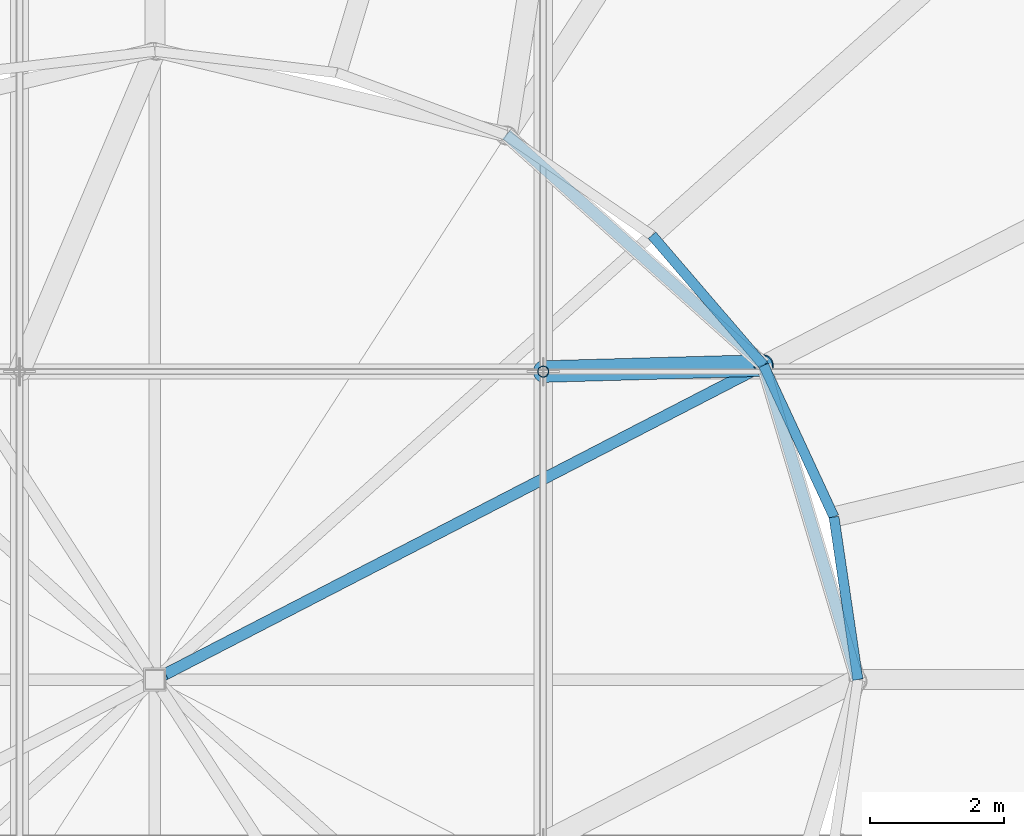
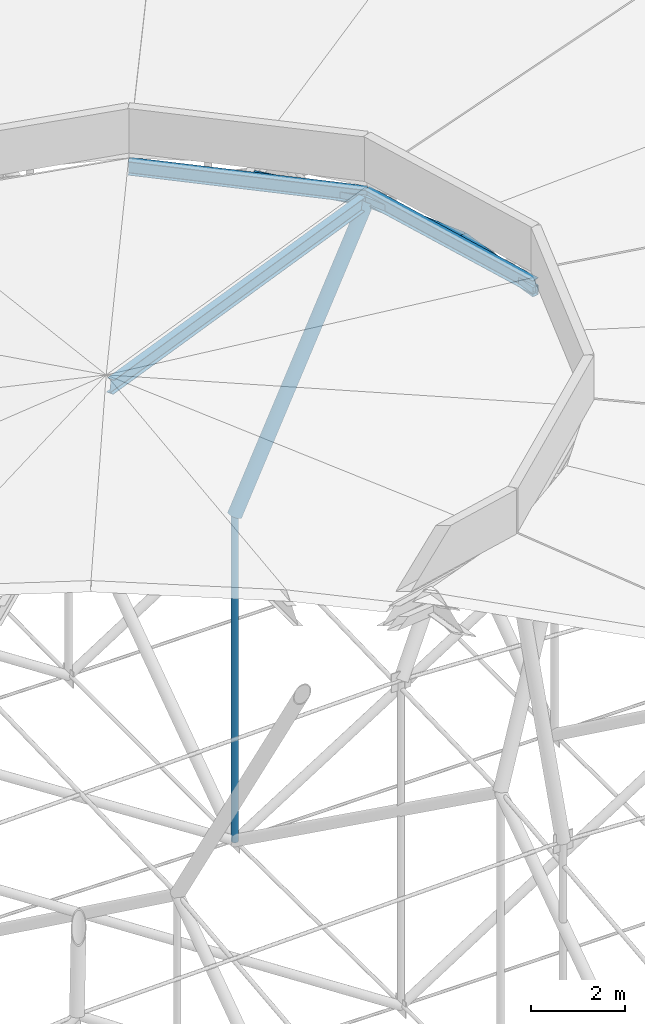
# One storey, part 60 of 173: 5 members, 3 beams.
"""IFC4 building model written with IfcOpenShell, lengths in metres."""

from ifc_helpers import new_model, si_unit, direction, frame, origin, origin_2d, place, context, subcontext, project, spatial, hollow_rectangle, hollow_circle, i_section, extrude, material, material_profile, profile_set, type_object, element, save


model = new_model("IFC4")

# Units and contexts
model_context = context("Model", 3, precision=1e-05, world=origin(), true_north=direction((0.0, 1.0)))
body_context = subcontext(model_context, "Body", "Model", "MODEL_VIEW")
ifc_project = project(units=[si_unit("LENGTHUNIT", "METRE"), si_unit("AREAUNIT", "SQUARE_METRE"), si_unit("VOLUMEUNIT", "CUBIC_METRE"), si_unit("PLANEANGLEUNIT", "RADIAN"), si_unit("MASSUNIT", "GRAM", prefix="KILO")], contexts=[model_context])

# Site, building, storey
site_placement = place(None, origin())
site = spatial("IfcSite", under=ifc_project, at=site_placement, CompositionType="ELEMENT")
building_placement = place(site_placement, origin())
building = spatial("IfcBuilding", under=site, at=building_placement, Name="Glasvene Arena", CompositionType="ELEMENT")
storey_placement = place(building_placement, frame((0.0, 0.0, 28.800048828125)))
storey = spatial("IfcBuildingStorey", under=building, at=storey_placement, Name="RF", CompositionType="ELEMENT", Elevation=28.800048828125)

# Beams
ifc_material = material(Name="Steel S355J2", Category="steel")
ifc_material_profile_1 = material_profile(ifc_material, i_section(OverallWidth=0.17138671875, OverallDepth=0.35498046875, WebThickness=0.00732421875, FlangeThickness=0.011474609375, FilletRadius=0.01025390625, at=origin_2d()), Name="UKB 356x171x51")
ifc_profile_set_1 = profile_set([ifc_material_profile_1], Name="Steel S355J2")
beam_type = type_object("IfcBeamType", Name="BM-JOIST-356", PredefinedType="JOIST", material=ifc_profile_set_1)
beam_1_placement = place(storey_placement, frame((96.699951171875, 68.39990234375, 13.079833984375), z_axis=(-0.286726945205, 0.958012347986, 0.0), x_axis=(-0.958012347986, -0.286726945205, 0.0)))
element("IfcBeam", 1, at=beam_1_placement, inside=storey, type_object=beam_type, Name="Crown lantern perimeter ring beam 01", PredefinedType="JOIST", context=body_context, shape_type="SweptSolid", body=[
    extrude(i_section(OverallWidth=0.17138671875, OverallDepth=0.35498046875, WebThickness=0.00732421875, FlangeThickness=0.011474609375, FilletRadius=0.01025390625, at=origin_2d()), origin(), (0.0, 0.0, 1.0), 4.90625),
])
beam_2_placement = place(storey_placement, frame((95.293212890625, 73.10009765625, 13.079833984375), z_axis=(-0.74507541556, 0.666980228438, 0.0), x_axis=(-0.666980228438, -0.74507541556, 0.0)))
element("IfcBeam", 2, at=beam_2_placement, inside=storey, type_object=beam_type, Name="Crown lantern perimeter ring beam 02", PredefinedType="JOIST", context=body_context, shape_type="SweptSolid", body=[
    extrude(i_section(OverallWidth=0.17138671875, OverallDepth=0.35498046875, WebThickness=0.00732421875, FlangeThickness=0.011474609375, FilletRadius=0.01025390625, at=origin_2d()), origin(), (0.0, 0.0, 1.0), 5.158203125),
])
beam_3_placement = place(storey_placement, frame((95.10791015625, 73.001708984375, 12.994873046875), z_axis=(-0.883173800121, -0.456247427714, 0.108822440166), x_axis=(0.458973175956, -0.888450124516, 0.0)))
element("IfcBeam", 3, at=beam_3_placement, inside=storey, type_object=beam_type, Name="Crown lantern hip rafter 02", PredefinedType="JOIST", context=body_context, shape_type="SweptSolid", body=[
    extrude(i_section(OverallWidth=0.17138671875, OverallDepth=0.35498046875, WebThickness=0.00732421875, FlangeThickness=0.011474609375, FilletRadius=0.01025390625, at=origin_2d()), origin(), (0.0, 0.0, 1.0), 9.925048828125),
])

# Members
ifc_material_profile_2 = material_profile(ifc_material, hollow_circle(Radius=0.161865234375, WallThickness=0.01611328125, at=origin_2d()), Name="CHS 323.9x16.0")
ifc_profile_set_2 = profile_set([ifc_material_profile_2], Name="Steel S355J2")
member_type_1 = type_object("IfcMemberType", Name="MB-POST-CHS324", PredefinedType="BRACE", material=ifc_profile_set_2)
member_1_placement = place(storey_placement, frame((92.0, 73.0, 6.02001953125), z_axis=(0.42908662948, 0.011928792798, 0.903184570453), x_axis=(-0.027789693229, 0.999613791897, 0.0)))
element("IfcMember", 4, at=member_1_placement, inside=storey, type_object=member_type_1, Name="Petal ring 5 ridge support post 03", PredefinedType="BRACE", context=body_context, shape_type="SweptSolid", body=[
    extrude(hollow_circle(Radius=0.161865234375, WallThickness=0.01611328125, at=origin_2d()), origin(), (0.0, 0.0, 1.0), 7.675048828125),
])
ifc_material_profile_3 = material_profile(ifc_material, hollow_rectangle(XDim=0.14990234375, YDim=0.25, WallThickness=0.010009765625, at=origin_2d()), Name="RHS 250x150x10.0")
ifc_profile_set_3 = profile_set([ifc_material_profile_3], Name="Steel S355J2")
member_type_2 = type_object("IfcMemberType", Name="MB-PURLIN-RHS250", PredefinedType="PURLIN", material=ifc_profile_set_3)
member_2_placement = place(storey_placement, frame((96.699951171875, 68.39990234375, 12.951904296875), z_axis=(-0.14569440347, 0.98932964213, 0.0), x_axis=(-0.98932964213, -0.14569440347, 0.0)))
element("IfcMember", 5, at=member_2_placement, inside=storey, type_object=member_type_2, Name="Petal ring 5 ridge purlin 01", PredefinedType="PURLIN", context=body_context, shape_type="SweptSolid", body=[
    extrude(hollow_rectangle(XDim=0.14990234375, YDim=0.25, WallThickness=0.010009765625, at=origin_2d()), origin(), (0.0, 0.0, 1.0), 2.454833984375),
])
member_3_placement = place(storey_placement, frame((96.34228515625, 70.82861328125, 12.951904296875), z_axis=(-0.420590716374, 0.90725048873, 0.0), x_axis=(-0.90725048873, -0.420590716374, 0.0)))
element("IfcMember", 6, at=member_3_placement, inside=storey, type_object=member_type_2, Name="Petal ring 5 ridge purlin 02", PredefinedType="PURLIN", context=body_context, shape_type="SweptSolid", body=[
    extrude(hollow_rectangle(XDim=0.14990234375, YDim=0.25, WallThickness=0.010009765625, at=origin_2d()), origin(), (0.0, 0.0, 1.0), 2.494384765625),
])
member_4_placement = place(storey_placement, frame((95.293212890625, 73.091552734375, 12.951904296875), z_axis=(-0.651458307, 0.758684436535, 0.0), x_axis=(-0.758684436535, -0.651458307, 0.0)))
element("IfcMember", 7, at=member_4_placement, inside=storey, type_object=member_type_2, Name="Petal ring 5 ridge purlin 03", PredefinedType="PURLIN", context=body_context, shape_type="SweptSolid", body=[
    extrude(hollow_rectangle(XDim=0.14990234375, YDim=0.25, WallThickness=0.010009765625, at=origin_2d()), origin(), (0.0, 0.0, 1.0), 2.5615234375),
])
ifc_material_profile_4 = material_profile(ifc_material, hollow_circle(Radius=0.084228515625, WallThickness=0.008056640625, at=origin_2d()), Name="CHS 168.3x8.0")
ifc_profile_set_4 = profile_set([ifc_material_profile_4], Name="Steel S355J2")
member_type_3 = type_object("IfcMemberType", Name="MB-WEB-CHS168", PredefinedType="BRACE", material=ifc_profile_set_4)
member_5_placement = place(storey_placement, frame((92.0, 73.0, -2.400146484375), z_axis=(0.0, 0.0, 1.0), x_axis=(1.0, 0.0, 0.0)))
element("IfcMember", 8, at=member_5_placement, inside=storey, type_object=member_type_3, Name="Cable-truss vertical strut NS05-04", PredefinedType="BRACE", context=body_context, shape_type="SweptSolid", body=[
    extrude(hollow_circle(Radius=0.084228515625, WallThickness=0.008056640625, at=origin_2d()), origin(), (0.0, 0.0, 1.0), 8.420166015625),
])

save(model, "model.ifc")
